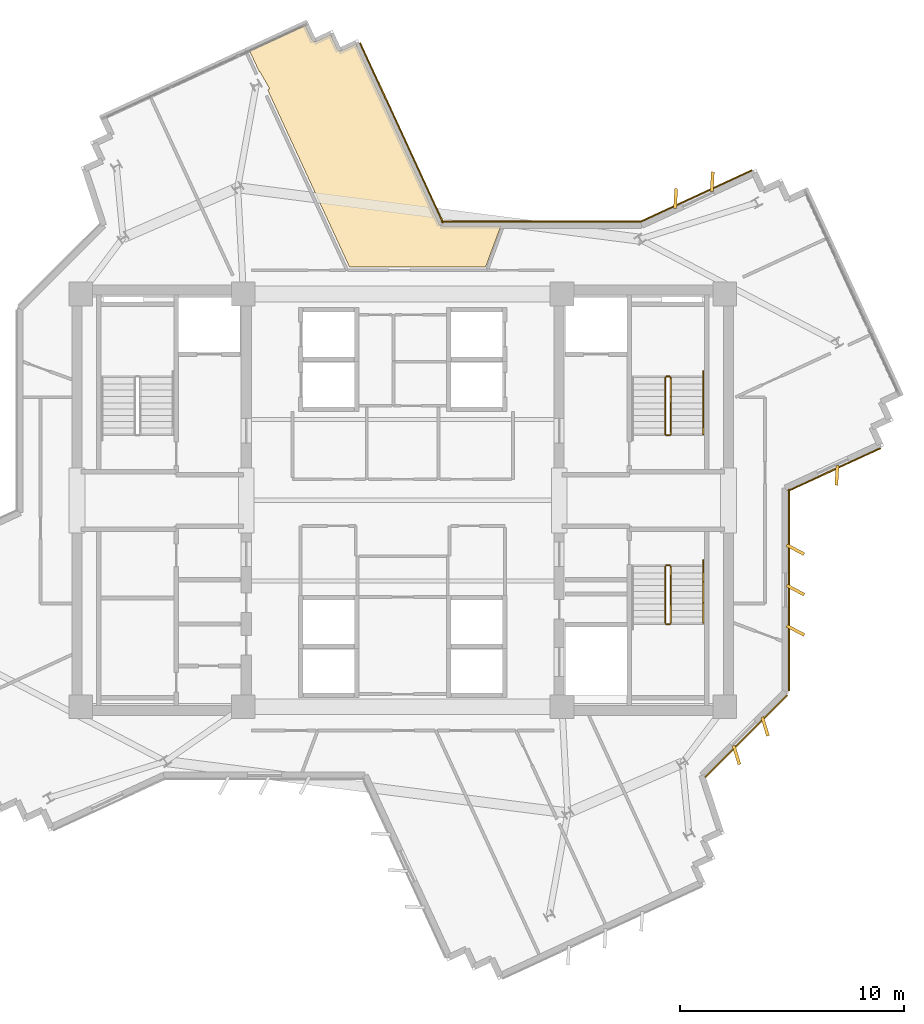
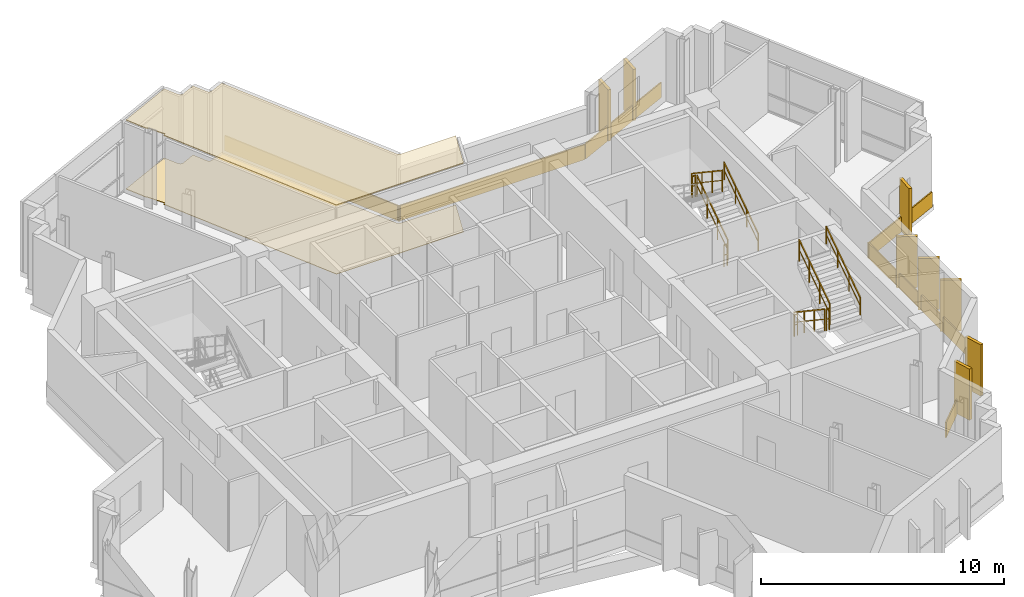
# One storey, part 12 of 12: 16 coverings, 10 railings.
"""IFC4 building model written with IfcOpenShell, lengths in metres."""

from ifc_helpers import new_model, si_unit, direction, frame, origin, origin_2d, place, context, subcontext, project, spatial, polyline, rectangle, outline, extrude, source, transform, mapped, material, layer, layer_set, type_object, element, save


model = new_model("IFC4")

# Units and contexts
model_context = context("Model", 3, precision=1e-05, world=origin(), true_north=direction((0.0, 1.0)))
body_context = subcontext(model_context, "Body", "Model", "MODEL_VIEW")
ifc_project = project(units=[si_unit("LENGTHUNIT", "METRE"), si_unit("AREAUNIT", "SQUARE_METRE"), si_unit("VOLUMEUNIT", "CUBIC_METRE"), si_unit("PLANEANGLEUNIT", "RADIAN"), si_unit("MASSUNIT", "GRAM", prefix="KILO")], contexts=[model_context])

# Site, building, storey
site_placement = place(None, origin())
site = spatial("IfcSite", under=ifc_project, at=site_placement, CompositionType="ELEMENT")
building_placement = place(site_placement, origin())
building = spatial("IfcBuilding", under=site, at=building_placement, Name="Zahravan Cultural Tower", CompositionType="ELEMENT")
storey_placement = place(building_placement, frame((0.0, 0.0, 239.10009765625)))
storey = spatial("IfcBuildingStorey", under=building, at=storey_placement, Name="L56", CompositionType="ELEMENT", Elevation=239.10009765625)

# Coverings
ifc_material_1 = material(Name="Acoustic mineral fibreboard")
ifc_layer_1 = layer(ifc_material_1, 0.0400390625)
ifc_layer_set_1 = layer_set([ifc_layer_1], Name="Acoustic mineral fibreboard")
covering_type_1 = type_object("IfcCoveringType", Name="COV-CEIL-AC20", PredefinedType="CEILING", material=ifc_layer_set_1)
covering_1_placement = place(storey_placement, frame((0.0, 0.0, 3.4599609375)))
element("IfcCovering", 1, at=covering_1_placement, inside=storey, type_object=covering_type_1, Name="L56 Acoustic Suspended Ceiling", PredefinedType="CEILING", context=body_context, shape_type="SweptSolid", body=[
    extrude(outline(polyline([(29.62890625, 46.115234375), (30.06884765625, 45.353271484375), (29.978271484375, 45.301025390625), (33.629150390625, 37.39990234375), (39.691650390625, 37.39990234375), (40.37841796875, 39.239990234375), (37.753662109375, 39.239990234375), (37.701416015625, 39.25), (37.650146484375, 39.28271484375), (37.619140625, 39.325927734375), (33.915283203125, 47.341552734375), (33.2802734375, 47.048095703125), (33.212646484375, 47.03515625), (33.13720703125, 47.058837890625), (33.086181640625, 47.110595703125), (32.787353515625, 47.756591796875), (32.15380859375, 47.464111328125), (32.100341796875, 47.451171875), (32.0380859375, 47.460693359375), (31.984130859375, 47.493896484375), (31.951904296875, 47.5380859375), (31.6591796875, 48.171630859375), (29.180908203125, 47.026611328125), (29.607666015625, 46.10302734375), (29.62890625, 46.115234375)])), origin(), (0.0, 0.0, 1.0), 0.0400390625),
])
ifc_material_2 = material(Name="Terrazzo flooring")
ifc_layer_2 = layer(ifc_material_2, 0.02490234375)
ifc_layer_set_2 = layer_set([ifc_layer_2], Name="Terrazzo flooring")
covering_type_2 = type_object("IfcCoveringType", Name="COV-FLR-TZ25", PredefinedType="FLOORING", material=ifc_layer_set_2)
covering_2_placement = place(storey_placement, origin())
element("IfcCovering", 2, at=covering_2_placement, inside=storey, type_object=covering_type_2, Name="L56 Polished Terrazzo Flooring", PredefinedType="FLOORING", context=body_context, shape_type="SweptSolid", body=[
    extrude(outline(polyline([(29.62890625, 46.115234375), (30.06884765625, 45.353271484375), (29.978271484375, 45.301025390625), (33.629150390625, 37.39990234375), (39.691650390625, 37.39990234375), (40.37841796875, 39.239990234375), (37.753662109375, 39.239990234375), (37.701416015625, 39.25), (37.650146484375, 39.28271484375), (37.619140625, 39.325927734375), (33.915283203125, 47.341552734375), (33.2802734375, 47.048095703125), (33.212646484375, 47.03515625), (33.13720703125, 47.058837890625), (33.086181640625, 47.110595703125), (32.787353515625, 47.756591796875), (32.15380859375, 47.464111328125), (32.100341796875, 47.451171875), (32.0380859375, 47.460693359375), (31.984130859375, 47.493896484375), (31.951904296875, 47.5380859375), (31.6591796875, 48.171630859375), (29.180908203125, 47.026611328125), (29.607666015625, 46.10302734375), (29.62890625, 46.115234375)])), origin(), (0.0, 0.0, 1.0), 0.02490234375),
])

# Railings
ifc_material_3 = material(Name="Steel ASTM A572 Grade 50", Category="steel")
railing_type_1 = type_object("IfcRailingType", Name="RL-STAIR-GRD1150", PredefinedType="BALUSTRADE", material=ifc_material_3)
railing_1_placement = place(storey_placement, frame((47.949951171875, 29.949951171875, 0.1875)))
element("IfcRailing", 3, at=railing_1_placement, inside=storey, type_object=railing_type_1, Name="L56 ST-E1 stair guard 1", PredefinedType="BALUSTRADE", context=body_context, shape_type="SweptSolid", body=[
    extrude(rectangle(XDim=0.05, YDim=0.05, at=origin_2d()), frame((0.0, 0.0, 1.0751953125), z_axis=(0.0, 0.830909170722, 0.55640807867), x_axis=(-1.0, 0.0, 0.0)), (0.0, 0.0, 1.0), 3.032958984375),
    extrude(rectangle(XDim=0.032, YDim=0.032, at=origin_2d()), frame((0.0, 0.0, 0.572021484375), z_axis=(0.0, 0.830909170722, 0.55640807867), x_axis=(-1.0, 0.0, 0.0)), (0.0, 0.0, 1.0), 3.032958984375),
    extrude(rectangle(XDim=0.04, YDim=0.04, at=origin_2d()), origin(), (0.0, 0.0, 1.0), 1.10009765625),
    extrude(rectangle(XDim=0.04, YDim=0.04, at=origin_2d()), frame((0.0, 0.840087890625, 0.5625)), (0.0, 0.0, 1.0), 1.10009765625),
    extrude(rectangle(XDim=0.04, YDim=0.04, at=origin_2d()), frame((0.0, 1.679931640625, 1.125)), (0.0, 0.0, 1.0), 1.10009765625),
    extrude(rectangle(XDim=0.04, YDim=0.04, at=origin_2d()), frame((0.0, 2.52001953125, 1.6875)), (0.0, 0.0, 1.0), 1.10009765625),
])
railing_2_placement = place(storey_placement, frame((47.89990234375, 32.52001953125, 1.875)))
element("IfcRailing", 4, at=railing_2_placement, inside=storey, type_object=railing_type_1, Name="L56 ST-E1 stair guard 2", PredefinedType="BALUSTRADE", context=body_context, shape_type="SweptSolid", body=[
    extrude(rectangle(XDim=0.05, YDim=0.05, at=origin_2d()), frame((0.0, 0.0, 1.0751953125), z_axis=(-1.0, 0.0, 0.0), x_axis=(0.0, -1.0, 0.0)), (0.0, 0.0, 1.0), 0.14990234375),
    extrude(rectangle(XDim=0.032, YDim=0.032, at=origin_2d()), frame((0.0, 0.0, 0.572021484375), z_axis=(-1.0, 0.0, 0.0), x_axis=(0.0, -1.0, 0.0)), (0.0, 0.0, 1.0), 0.14990234375),
    extrude(rectangle(XDim=0.04, YDim=0.04, at=origin_2d()), origin(), (0.0, 0.0, 1.0), 1.10009765625),
    extrude(rectangle(XDim=0.04, YDim=0.04, at=origin_2d()), frame((-0.14990234375, 0.0, 0.0)), (0.0, 0.0, 1.0), 1.10009765625),
])
railing_3_placement = place(storey_placement, frame((47.699951171875, 32.469970703125, 2.0625)))
element("IfcRailing", 5, at=railing_3_placement, inside=storey, type_object=railing_type_1, Name="L56 ST-E1 stair guard 3", PredefinedType="BALUSTRADE", context=body_context, shape_type="SweptSolid", body=[
    extrude(rectangle(XDim=0.05, YDim=0.05, at=origin_2d()), frame((0.0, 0.0, 1.0751953125), z_axis=(0.0, -0.830909170722, 0.55640807867), x_axis=(1.0, 0.0, 0.0)), (0.0, 0.0, 1.0), 3.032958984375),
    extrude(rectangle(XDim=0.032, YDim=0.032, at=origin_2d()), frame((0.0, 0.0, 0.572021484375), z_axis=(0.0, -0.830909170722, 0.55640807867), x_axis=(1.0, 0.0, 0.0)), (0.0, 0.0, 1.0), 3.032958984375),
    extrude(rectangle(XDim=0.04, YDim=0.04, at=origin_2d()), origin(), (0.0, 0.0, 1.0), 1.10009765625),
    extrude(rectangle(XDim=0.04, YDim=0.04, at=origin_2d()), frame((0.0, -0.840087890625, 0.5625)), (0.0, 0.0, 1.0), 1.10009765625),
    extrude(rectangle(XDim=0.04, YDim=0.04, at=origin_2d()), frame((0.0, -1.679931640625, 1.125)), (0.0, 0.0, 1.0), 1.10009765625),
    extrude(rectangle(XDim=0.04, YDim=0.04, at=origin_2d()), frame((0.0, -2.52001953125, 1.6875)), (0.0, 0.0, 1.0), 1.10009765625),
])
railing_4_placement = place(storey_placement, frame((47.89990234375, 29.89990234375, 0.0)))
element("IfcRailing", 6, at=railing_4_placement, inside=storey, type_object=railing_type_1, Name="L56 ST-E1 stair guard 4", PredefinedType="BALUSTRADE", context=body_context, shape_type="SweptSolid", body=[
    extrude(rectangle(XDim=0.05, YDim=0.05, at=origin_2d()), frame((0.0, 0.0, 1.0751953125), z_axis=(-1.0, 0.0, 0.0), x_axis=(0.0, -1.0, 0.0)), (0.0, 0.0, 1.0), 0.14990234375),
    extrude(rectangle(XDim=0.032, YDim=0.032, at=origin_2d()), frame((0.0, 0.0, 0.572021484375), z_axis=(-1.0, 0.0, 0.0), x_axis=(0.0, -1.0, 0.0)), (0.0, 0.0, 1.0), 0.14990234375),
    extrude(rectangle(XDim=0.04, YDim=0.04, at=origin_2d()), origin(), (0.0, 0.0, 1.0), 1.10009765625),
    extrude(rectangle(XDim=0.04, YDim=0.04, at=origin_2d()), frame((-0.14990234375, 0.0, 0.0)), (0.0, 0.0, 1.0), 1.10009765625),
])
railing_5_placement = place(storey_placement, frame((47.699951171875, 24.050048828125, 0.1875)))
element("IfcRailing", 7, at=railing_5_placement, inside=storey, type_object=railing_type_1, Name="L56 ST-E2 stair guard 1", PredefinedType="BALUSTRADE", context=body_context, shape_type="SweptSolid", body=[
    extrude(rectangle(XDim=0.05, YDim=0.05, at=origin_2d()), frame((0.0, 0.0, 1.0751953125), z_axis=(0.0, -0.830909170722, 0.55640807867), x_axis=(1.0, 0.0, 0.0)), (0.0, 0.0, 1.0), 3.032958984375),
    extrude(rectangle(XDim=0.032, YDim=0.032, at=origin_2d()), frame((0.0, 0.0, 0.572021484375), z_axis=(0.0, -0.830909170722, 0.55640807867), x_axis=(1.0, 0.0, 0.0)), (0.0, 0.0, 1.0), 3.032958984375),
    extrude(rectangle(XDim=0.04, YDim=0.04, at=origin_2d()), origin(), (0.0, 0.0, 1.0), 1.10009765625),
    extrude(rectangle(XDim=0.04, YDim=0.04, at=origin_2d()), frame((0.0, -0.840087890625, 0.5625)), (0.0, 0.0, 1.0), 1.10009765625),
    extrude(rectangle(XDim=0.04, YDim=0.04, at=origin_2d()), frame((0.0, -1.679931640625, 1.125)), (0.0, 0.0, 1.0), 1.10009765625),
    extrude(rectangle(XDim=0.04, YDim=0.04, at=origin_2d()), frame((0.0, -2.52001953125, 1.6875)), (0.0, 0.0, 1.0), 1.10009765625),
])
railing_6_placement = place(storey_placement, frame((47.75, 21.47998046875, 1.875)))
element("IfcRailing", 8, at=railing_6_placement, inside=storey, type_object=railing_type_1, Name="L56 ST-E2 stair guard 2", PredefinedType="BALUSTRADE", context=body_context, shape_type="SweptSolid", body=[
    extrude(rectangle(XDim=0.05, YDim=0.05, at=origin_2d()), frame((0.0, 0.0, 1.0751953125), z_axis=(1.0, 0.0, 0.0), x_axis=(0.0, 1.0, 0.0)), (0.0, 0.0, 1.0), 0.14990234375),
    extrude(rectangle(XDim=0.032, YDim=0.032, at=origin_2d()), frame((0.0, 0.0, 0.572021484375), z_axis=(1.0, 0.0, 0.0), x_axis=(0.0, 1.0, 0.0)), (0.0, 0.0, 1.0), 0.14990234375),
    extrude(rectangle(XDim=0.04, YDim=0.04, at=origin_2d()), origin(), (0.0, 0.0, 1.0), 1.10009765625),
    extrude(rectangle(XDim=0.04, YDim=0.04, at=origin_2d()), frame((0.14990234375, 0.0, 0.0)), (0.0, 0.0, 1.0), 1.10009765625),
])
railing_7_placement = place(storey_placement, frame((47.949951171875, 21.530029296875, 2.0625)))
element("IfcRailing", 9, at=railing_7_placement, inside=storey, type_object=railing_type_1, Name="L56 ST-E2 stair guard 3", PredefinedType="BALUSTRADE", context=body_context, shape_type="SweptSolid", body=[
    extrude(rectangle(XDim=0.05, YDim=0.05, at=origin_2d()), frame((0.0, 0.0, 1.0751953125), z_axis=(0.0, 0.830909170722, 0.55640807867), x_axis=(-1.0, 0.0, 0.0)), (0.0, 0.0, 1.0), 3.032958984375),
    extrude(rectangle(XDim=0.032, YDim=0.032, at=origin_2d()), frame((0.0, 0.0, 0.572021484375), z_axis=(0.0, 0.830909170722, 0.55640807867), x_axis=(-1.0, 0.0, 0.0)), (0.0, 0.0, 1.0), 3.032958984375),
    extrude(rectangle(XDim=0.04, YDim=0.04, at=origin_2d()), origin(), (0.0, 0.0, 1.0), 1.10009765625),
    extrude(rectangle(XDim=0.04, YDim=0.04, at=origin_2d()), frame((0.0, 0.840087890625, 0.5625)), (0.0, 0.0, 1.0), 1.10009765625),
    extrude(rectangle(XDim=0.04, YDim=0.04, at=origin_2d()), frame((0.0, 1.679931640625, 1.125)), (0.0, 0.0, 1.0), 1.10009765625),
    extrude(rectangle(XDim=0.04, YDim=0.04, at=origin_2d()), frame((0.0, 2.52001953125, 1.6875)), (0.0, 0.0, 1.0), 1.10009765625),
])
railing_8_placement = place(storey_placement, frame((47.75, 24.10009765625, 0.0)))
element("IfcRailing", 10, at=railing_8_placement, inside=storey, type_object=railing_type_1, Name="L56 ST-E2 stair guard 4", PredefinedType="BALUSTRADE", context=body_context, shape_type="SweptSolid", body=[
    extrude(rectangle(XDim=0.05, YDim=0.05, at=origin_2d()), frame((0.0, 0.0, 1.0751953125), z_axis=(1.0, 0.0, 0.0), x_axis=(0.0, 1.0, 0.0)), (0.0, 0.0, 1.0), 0.14990234375),
    extrude(rectangle(XDim=0.032, YDim=0.032, at=origin_2d()), frame((0.0, 0.0, 0.572021484375), z_axis=(1.0, 0.0, 0.0), x_axis=(0.0, 1.0, 0.0)), (0.0, 0.0, 1.0), 0.14990234375),
    extrude(rectangle(XDim=0.04, YDim=0.04, at=origin_2d()), origin(), (0.0, 0.0, 1.0), 1.10009765625),
    extrude(rectangle(XDim=0.04, YDim=0.04, at=origin_2d()), frame((0.14990234375, 0.0, 0.0)), (0.0, 0.0, 1.0), 1.10009765625),
])
railing_type_2 = type_object("IfcRailingType", Name="RL-STAIR-HR900", PredefinedType="HANDRAIL", material=ifc_material_3)
for number, where, name in (
    (11, (49.39990234375, 29.949951171875, 0.1875), "L56 ST-E1 stair handrail 1"),
    (12, (49.39990234375, 21.530029296875, 2.0625), "L56 ST-E2 stair handrail 2"),
):
    element("IfcRailing", number, at=place(storey_placement, frame(where)), inside=storey, type_object=railing_type_2, Name=name, PredefinedType="HANDRAIL", context=body_context, shape_type="SweptSolid", body=[
        extrude(rectangle(XDim=0.05, YDim=0.05, at=origin_2d()), frame((0.0, 0.0, 0.875), z_axis=(0.0, 0.830911662861, 0.55640435703), x_axis=(-1.0, 0.0, 0.0)), (0.0, 0.0, 1.0), 3.369873046875),
        extrude(rectangle(XDim=0.032, YDim=0.032, at=origin_2d()), frame((0.0, 0.0, 0.468017578125), z_axis=(0.0, 0.830911662861, 0.55640435703), x_axis=(-1.0, 0.0, 0.0)), (0.0, 0.0, 1.0), 3.369873046875),
        extrude(rectangle(XDim=0.04, YDim=0.04, at=origin_2d()), origin(), (0.0, 0.0, 1.0), 0.89990234375),
        extrude(rectangle(XDim=0.04, YDim=0.04, at=origin_2d()), frame((0.0, 0.933349609375, 0.625)), (0.0, 0.0, 1.0), 0.89990234375),
        extrude(rectangle(XDim=0.04, YDim=0.04, at=origin_2d()), frame((0.0, 1.86669921875, 1.25)), (0.0, 0.0, 1.0), 0.89990234375),
        extrude(rectangle(XDim=0.04, YDim=0.04, at=origin_2d()), frame((0.0, 2.800048828125, 1.875)), (0.0, 0.0, 1.0), 0.89990234375),
    ])

# Coverings
ifc_material_4 = material(Name="Terracotta ceramic cladding", Category="masonry")
ifc_layer_3 = layer(ifc_material_4, 0.06005859375)
ifc_layer_set_3 = layer_set([ifc_layer_3], Name="Terracotta ceramic cladding")
covering_type_3 = type_object("IfcCoveringType", Name="COV-CLAD-TC60", PredefinedType="CLADDING", material=ifc_layer_set_3)
shared_shape_1 = source(origin(), body_context, "Body", "SweptSolid", [
    extrude(rectangle(XDim=5.157958984375, YDim=0.06005859375, at=origin_2d()), origin(), (0.0, 0.0, 1.0), 0.760009765625),
])
covering_3_placement = place(storey_placement, frame((51.317626953125, 16.482421875, 0.02001953125), z_axis=(0.0, 0.0, 1.0), x_axis=(-0.707106781187, -0.707106781187, 0.0)))
element("IfcCovering", 13, at=covering_3_placement, inside=storey, type_object=covering_type_3, Name="L56 Terracotta Spandrel Cladding 12", PredefinedType="CLADDING", context=body_context, shape_type="MappedRepresentation", body=[
    mapped(shared_shape_1, transform((0.0, 0.0, 0.0), x_axis=(1.0, 0.0, 0.0), y_axis=(0.0, 1.0, 0.0), z_axis=(0.0, 0.0, 1.0), scale=1.0)),
])
shared_shape_2 = source(origin(), body_context, "Body", "SweptSolid", [
    extrude(rectangle(XDim=4.544189453125, YDim=0.06005859375, at=origin_2d()), origin(), (0.0, 0.0, 1.0), 0.760009765625),
])
covering_4_placement = place(storey_placement, frame((55.2373046875, 28.37060546875, 0.02001953125), z_axis=(0.0, 0.0, 1.0), x_axis=(-0.907770157575, -0.419467926088, 0.0)))
element("IfcCovering", 14, at=covering_4_placement, inside=storey, type_object=covering_type_3, Name="L56 Terracotta Spandrel Cladding 10", PredefinedType="CLADDING", context=body_context, shape_type="MappedRepresentation", body=[
    mapped(shared_shape_2, transform((0.0, 0.0, 0.0), x_axis=(1.0, 0.0, 0.0), y_axis=(0.0, 1.0, 0.0), z_axis=(0.0, 0.0, 1.0), scale=1.0)),
])
shared_shape_3 = source(origin(), body_context, "Body", "SweptSolid", [
    extrude(rectangle(XDim=5.445068359375, YDim=0.06005859375, at=origin_2d()), origin(), (0.0, 0.0, 1.0), 0.760009765625),
])
covering_5_placement = place(storey_placement, frame((49.102783203125, 40.57275390625, 0.02001953125), z_axis=(0.0, 0.0, 1.0), x_axis=(0.907777478533, 0.419452082446, 0.0)))
element("IfcCovering", 15, at=covering_5_placement, inside=storey, type_object=covering_type_3, Name="L56 Terracotta Spandrel Cladding 01", PredefinedType="CLADDING", context=body_context, shape_type="MappedRepresentation", body=[
    mapped(shared_shape_3, transform((0.0, 0.0, 0.0), x_axis=(1.0, 0.0, 0.0), y_axis=(0.0, 1.0, 0.0), z_axis=(0.0, 0.0, 1.0), scale=1.0)),
])
shared_shape_4 = source(origin(), body_context, "Body", "SweptSolid", [
    extrude(rectangle(XDim=0.8798828125, YDim=0.139892578125, at=origin_2d()), origin(), (0.0, 0.0, 1.0), 2.580078125),
])
for number, where, z_axis, x_axis, name in (
    (16, (48.166259765625, 40.453857421875, 0.0498046875), (0.0, 0.0, 1.0), (0.055821504993, 0.998440764182, 0.0), "L56 Herringbone Terracotta Fin 01"),
    (17, (49.80029296875, 41.208984375, 0.0498046875), (0.0, 0.0, 1.0), (0.055821504993, 0.998440764182, 0.0), "L56 Herringbone Terracotta Fin 02"),
    (18, (55.356689453125, 28.11181640625, 0.0498046875), (0.0, 0.0, 1.0), (-0.055804078906, -0.998441738299, 0.0), "L56 Herringbone Terracotta Fin 03"),
    (19, (53.510009765625, 24.802001953125, 0.0498046875), (0.0, 0.0, 1.0), (0.882947592859, -0.469471562786, 0.0), "L56 Herringbone Terracotta Fin 04"),
    (20, (53.510009765625, 23.002197265625, 0.0498046875), (0.0, 0.0, 1.0), (0.882947592859, -0.469471562786, 0.0), "L56 Herringbone Terracotta Fin 05"),
    (21, (53.510009765625, 21.2021484375, 0.0498046875), (0.0, 0.0, 1.0), (0.882947592859, -0.469471562786, 0.0), "L56 Herringbone Terracotta Fin 06"),
    (22, (52.155517578125, 16.917236328125, 0.0498046875), (0.0, 0.0, 1.0), (0.292371704723, -0.956304755963, 0.0), "L56 Herringbone Terracotta Fin 07"),
    (23, (50.8828125, 15.644287109375, 0.0498046875), (0.0, 0.0, 1.0), (0.292371704723, -0.956304755963, 0.0), "L56 Herringbone Terracotta Fin 08"),
):
    element("IfcCovering", number, at=place(storey_placement, frame(where, z_axis=z_axis, x_axis=x_axis)), inside=storey, type_object=covering_type_3, Name=name, PredefinedType="CLADDING", context=body_context, shape_type="MappedRepresentation", body=[
        mapped(shared_shape_4, transform((0.0, 0.0, 0.0), x_axis=(1.0, 0.0, 0.0), y_axis=(0.0, 1.0, 0.0), z_axis=(0.0, 0.0, 1.0), scale=1.0)),
    ])
shared_shape_5 = source(origin(), body_context, "Body", "SweptSolid", [
    extrude(rectangle(XDim=8.98828125, YDim=0.06005859375, at=origin_2d()), origin(), (0.0, 0.0, 1.0), 0.760009765625),
])
covering_6_placement = place(storey_placement, frame((53.22509765625, 23.002197265625, 0.02001953125), z_axis=(0.0, 0.0, 1.0), x_axis=(0.0, -1.0, 0.0)))
element("IfcCovering", 24, at=covering_6_placement, inside=storey, type_object=covering_type_3, Name="L56 Terracotta Spandrel Cladding 11", PredefinedType="CLADDING", context=body_context, shape_type="MappedRepresentation", body=[
    mapped(shared_shape_5, transform((0.0, 0.0, 0.0), x_axis=(1.0, 0.0, 0.0), y_axis=(0.0, 1.0, 0.0), z_axis=(0.0, 0.0, 1.0), scale=1.0)),
])
shared_shape_6 = source(origin(), body_context, "Body", "SweptSolid", [
    extrude(rectangle(XDim=8.831787109375, YDim=0.06005859375, at=origin_2d()), origin(), (0.0, 0.0, 1.0), 0.760009765625),
])
covering_7_placement = place(storey_placement, frame((35.9482421875, 43.38330078125, 0.02001953125), z_axis=(0.0, 0.0, 1.0), x_axis=(0.419452082446, -0.907777478533, 0.0)))
element("IfcCovering", 25, at=covering_7_placement, inside=storey, type_object=covering_type_3, Name="L56 Terracotta Spandrel Cladding 47", PredefinedType="CLADDING", context=body_context, shape_type="MappedRepresentation", body=[
    mapped(shared_shape_6, transform((0.0, 0.0, 0.0), x_axis=(1.0, 0.0, 0.0), y_axis=(0.0, 1.0, 0.0), z_axis=(0.0, 0.0, 1.0), scale=1.0)),
])
shared_shape_7 = source(origin(), body_context, "Body", "SweptSolid", [
    extrude(rectangle(XDim=8.883544921875, YDim=0.06005859375, at=origin_2d()), origin(), (0.0, 0.0, 1.0), 0.760009765625),
])
covering_8_placement = place(storey_placement, frame((42.163330078125, 39.425048828125, 0.02001953125), z_axis=(0.0, 0.0, 1.0), x_axis=(1.0, 0.0, 0.0)))
element("IfcCovering", 26, at=covering_8_placement, inside=storey, type_object=covering_type_3, Name="L56 Terracotta Spandrel Cladding 48", PredefinedType="CLADDING", context=body_context, shape_type="MappedRepresentation", body=[
    mapped(shared_shape_7, transform((0.0, 0.0, 0.0), x_axis=(1.0, 0.0, 0.0), y_axis=(0.0, 1.0, 0.0), z_axis=(0.0, 0.0, 1.0), scale=1.0)),
])

save(model, "model.ifc")
